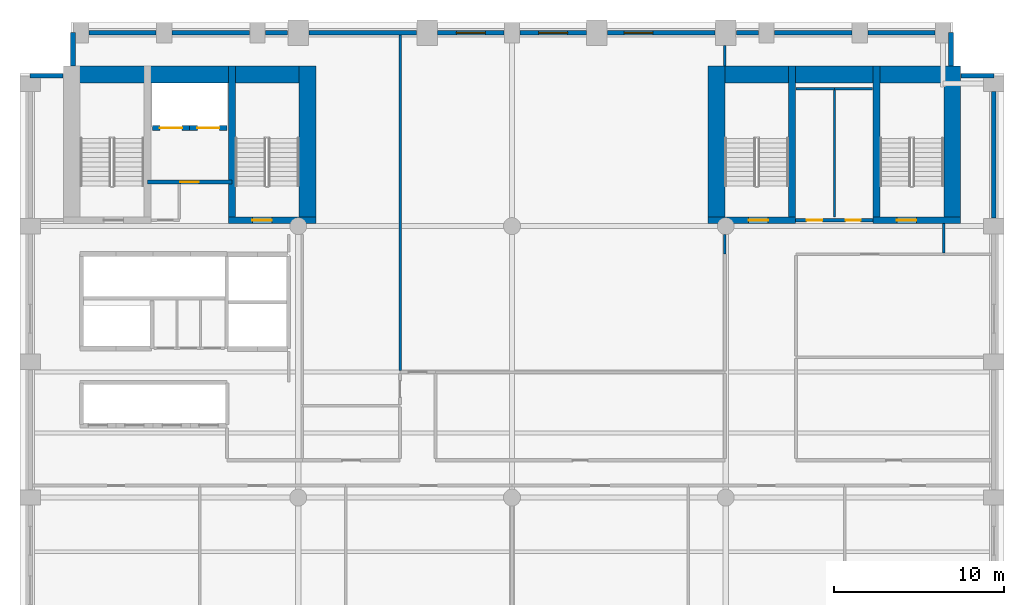
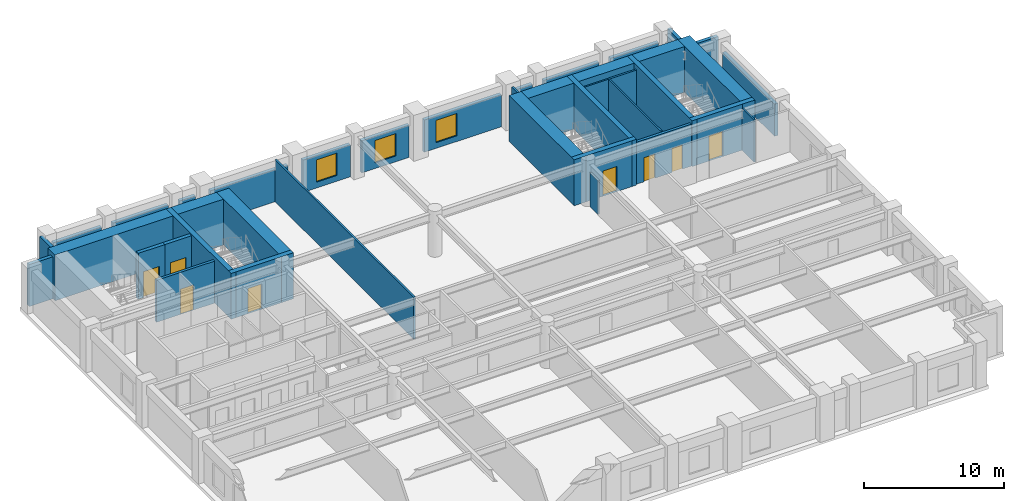
# One storey, part 5 of 8: 37 walls, 8 doors, 3 windows, 11 openings.
"""IFC4 building model written with IfcOpenShell, lengths in metres."""

from ifc_helpers import new_model, si_unit, direction, frame, frame_2d, origin, place, context, subcontext, project, spatial, rectangle, extrude, material, layer, layer_set, type_object, element, fill, save


model = new_model("IFC4")

# Units and contexts
model_context = context("Model", 3, precision=1e-05, world=origin(), true_north=direction((0.0, 1.0)))
body_context = subcontext(model_context, "Body", "Model", "MODEL_VIEW")
ifc_project = project(units=[si_unit("LENGTHUNIT", "METRE"), si_unit("AREAUNIT", "SQUARE_METRE"), si_unit("VOLUMEUNIT", "CUBIC_METRE"), si_unit("PLANEANGLEUNIT", "RADIAN"), si_unit("MASSUNIT", "GRAM", prefix="KILO")], contexts=[model_context])

# Site, building, storey
site_placement = place(None, origin())
site = spatial("IfcSite", under=ifc_project, at=site_placement, CompositionType="ELEMENT")
building_placement = place(site_placement, origin())
building = spatial("IfcBuilding", under=site, at=building_placement, Name="Sulina Concourse Tower", CompositionType="ELEMENT")
storey_placement = place(building_placement, frame((0.0, 0.0, 78.60009765625)))
storey = spatial("IfcBuildingStorey", under=building, at=storey_placement, Name="L19", CompositionType="ELEMENT", Elevation=78.60009765625)

# Wall, opening, door
ifc_material_1 = material(Name="Concrete C50/60", Category="concrete")
ifc_layer_1 = layer(ifc_material_1, 0.300048828125)
ifc_layer_set_1 = layer_set([ifc_layer_1], Name="Concrete C50/60")
wall_type_1 = type_object("IfcWallType", Name="Core Lift Hoistway Wall 300mm", PredefinedType="SOLIDWALL", material=ifc_layer_set_1)
wall_1_placement = place(storey_placement, frame((10.0, 39.780029296875, 0.0), z_axis=(0.0, 0.0, 1.0), x_axis=(-1.0, 0.0, 0.0)))
wall_1 = element("IfcWall", 1, at=wall_1_placement, inside=storey, type_object=wall_type_1, Name="L19 hoistway enclosure wall FFL-1", PredefinedType="SOLIDWALL", context=body_context, shape_type="SweptSolid", body=[
    extrude(rectangle(XDim=2.199951171875, YDim=0.300048828125, at=frame_2d((1.10009765625, 0.0))), origin(), (0.0, 0.0, 1.0), 4.0),
])
opening_1_placement = place(wall_1_placement, frame((0.449951171875, 0.0, 0.0)))
opening_1 = element("IfcOpeningElement", 2, at=opening_1_placement, cuts=wall_1, Name="Opening LD-02", PredefinedType="OPENING", context=body_context, shape_type="SweptSolid", body=[
    extrude(rectangle(XDim=1.300048828125, YDim=2.25, at=frame_2d((0.64990234375, 1.125))), frame((0.0, 0.159912109375, 0.0), z_axis=(0.0, -1.0, 0.0), x_axis=(1.0, 0.0, 0.0)), (0.0, 0.0, 1.0), 0.320068359375),
])
ifc_material_2 = material(Name="Stainless steel lift landing door", Category="steel")
ifc_layer_2 = layer(ifc_material_2, 0.050048828125)
ifc_layer_set_2 = layer_set([ifc_layer_2], Name="Stainless steel lift landing door")
door_type_1 = type_object("IfcDoorType", Name="Firefighting Lift Sliding Landing Door 1300x2250", OperationType="SLIDING_TO_RIGHT", PredefinedType="DOOR", material=ifc_layer_set_2)
door_1_placement = place(opening_1_placement, origin())
door_1 = element("IfcDoor", 3, at=door_1_placement, inside=storey, type_object=door_type_1, Name="L19 lift landing sliding door FFL-1", OperationType="SLIDING_TO_LEFT", OverallHeight=2.25, OverallWidth=1.300048828125, PredefinedType="DOOR", context=body_context, shape_type="SweptSolid", body=[
    extrude(rectangle(XDim=1.300048828125, YDim=2.25, at=frame_2d((0.64990234375, 1.125))), frame((0.0, 0.02490234375, 0.0), z_axis=(0.0, -1.0, 0.0), x_axis=(1.0, 0.0, 0.0)), (0.0, 0.0, 1.0), 0.050048828125),
])
fill(opening_1, door_1)

wall_2_placement = place(storey_placement, frame((12.199951171875, 39.780029296875, 0.0), z_axis=(0.0, 0.0, 1.0), x_axis=(-1.0, 0.0, 0.0)))
wall_2 = element("IfcWall", 4, at=wall_2_placement, inside=storey, type_object=wall_type_1, Name="L19 hoistway enclosure wall FFL-2", PredefinedType="SOLIDWALL", context=body_context, shape_type="SweptSolid", body=[
    extrude(rectangle(XDim=2.199951171875, YDim=0.300048828125, at=frame_2d((1.10009765625, 0.0))), origin(), (0.0, 0.0, 1.0), 4.0),
])
opening_2_placement = place(wall_2_placement, frame((0.449951171875, 0.0, 0.0)))
opening_2 = element("IfcOpeningElement", 5, at=opening_2_placement, cuts=wall_2, Name="Opening LD-02", PredefinedType="OPENING", context=body_context, shape_type="SweptSolid", body=[
    extrude(rectangle(XDim=1.300048828125, YDim=2.25, at=frame_2d((0.64990234375, 1.125))), frame((0.0, 0.159912109375, 0.0), z_axis=(0.0, -1.0, 0.0), x_axis=(1.0, 0.0, 0.0)), (0.0, 0.0, 1.0), 0.320068359375),
])
door_2_placement = place(opening_2_placement, origin())
door_2 = element("IfcDoor", 6, at=door_2_placement, inside=storey, type_object=door_type_1, Name="L19 lift landing sliding door FFL-2", OperationType="SLIDING_TO_RIGHT", OverallHeight=2.25, OverallWidth=1.300048828125, PredefinedType="DOOR", context=body_context, shape_type="SweptSolid", body=[
    extrude(rectangle(XDim=1.300048828125, YDim=2.25, at=frame_2d((0.64990234375, 1.125))), frame((0.0, 0.02490234375, 0.0), z_axis=(0.0, -1.0, 0.0), x_axis=(1.0, 0.0, 0.0)), (0.0, 0.0, 1.0), 0.050048828125),
])
fill(opening_2, door_2)

ifc_material_3 = material(Name="Gypsum board on steel stud", Category="steel")
ifc_layer_3 = layer(ifc_material_3, 0.219970703125)
ifc_layer_set_3 = layer_set([ifc_layer_3], Name="Gypsum board on steel stud")
wall_type_2 = type_object("IfcWallType", Name="Fire-Rated Lobby & Compartment Wall 220mm", PredefinedType="PARTITIONING", material=ifc_layer_set_3)
wall_3_placement = place(storey_placement, frame((7.510009765625, 36.60009765625, 0.0), z_axis=(0.0, 0.0, 1.0), x_axis=(1.0, 0.0, 0.0)))
wall_3 = element("IfcWall", 7, at=wall_3_placement, inside=storey, type_object=wall_type_2, Name="L19 firefighting lobby south fire wall", PredefinedType="PARTITIONING", context=body_context, shape_type="SweptSolid", body=[
    extrude(rectangle(XDim=4.97998046875, YDim=0.219970703125, at=frame_2d((2.489990234375, 0.0))), origin(), (0.0, 0.0, 1.0), 3.659912109375),
])
opening_3_placement = place(wall_3_placement, frame((1.93994140625, 0.0, 0.0)))
opening_3 = element("IfcOpeningElement", 8, at=opening_3_placement, cuts=wall_3, Name="Opening DR-47", PredefinedType="OPENING", context=body_context, shape_type="SweptSolid", body=[
    extrude(rectangle(XDim=1.10009765625, YDim=2.199951171875, at=frame_2d((0.550048828125, 1.10009765625))), frame((0.0, 0.119873046875, 0.0), z_axis=(0.0, -1.0, 0.0), x_axis=(1.0, 0.0, 0.0)), (0.0, 0.0, 1.0), 0.239990234375),
])
ifc_material_4 = material(Name="Galvanised steel acoustic fire leaf", Category="steel")
ifc_layer_4 = layer(ifc_material_4, 0.054931640625)
ifc_layer_set_4 = layer_set([ifc_layer_4], Name="Galvanised steel acoustic fire leaf")
door_type_2 = type_object("IfcDoorType", Name="Firefighting Lobby Fire Door 1100x2200", OperationType="NOTDEFINED", PredefinedType="DOOR", material=ifc_layer_set_4)
door_3_placement = place(opening_3_placement, origin())
door_3 = element("IfcDoor", 9, at=door_3_placement, inside=storey, type_object=door_type_2, Name="L19 firefighting lobby fire door", OperationType="SINGLE_SWING_RIGHT", OverallHeight=2.199951171875, OverallWidth=1.10009765625, PredefinedType="DOOR", context=body_context, shape_type="SweptSolid", body=[
    extrude(rectangle(XDim=1.10009765625, YDim=2.199951171875, at=frame_2d((0.550048828125, 1.10009765625))), frame((0.0, 0.02490234375, 0.0), z_axis=(0.0, -1.0, 0.0), x_axis=(1.0, 0.0, 0.0)), (0.0, 0.0, 1.0), 0.050048828125),
])
fill(opening_3, door_3)

# Wall, openings, doors
wall_4_placement = place(storey_placement, frame((45.719970703125, 34.35009765625, 0.0), z_axis=(0.0, 0.0, 1.0), x_axis=(1.0, 0.0, 0.0)))
wall_4 = element("IfcWall", 10, at=wall_4_placement, inside=storey, type_object=wall_type_2, Name="L19 east core south lobby wall", PredefinedType="PARTITIONING", context=body_context, shape_type="SweptSolid", body=[
    extrude(rectangle(XDim=4.56005859375, YDim=0.219970703125, at=frame_2d((2.280029296875, 0.0))), origin(), (0.0, 0.0, 1.0), 3.659912109375),
])
opening_4_placement = place(wall_4_placement, frame((0.64990234375, 0.0, 0.0)))
opening_4 = element("IfcOpeningElement", 11, at=opening_4_placement, cuts=wall_4, Name="Opening DR-61", PredefinedType="OPENING", context=body_context, shape_type="SweptSolid", body=[
    extrude(rectangle(XDim=0.919921875, YDim=2.10009765625, at=frame_2d((0.4599609375, 1.050048828125))), frame((0.0, 0.119873046875, 0.0), z_axis=(0.0, -1.0, 0.0), x_axis=(1.0, 0.0, 0.0)), (0.0, 0.0, 1.0), 0.239990234375),
])
opening_5_placement = place(wall_4_placement, frame((2.949951171875, 0.0, 0.0)))
opening_5 = element("IfcOpeningElement", 12, at=opening_5_placement, cuts=wall_4, Name="Opening DR-38", PredefinedType="OPENING", context=body_context, shape_type="SweptSolid", body=[
    extrude(rectangle(XDim=0.8798828125, YDim=2.10009765625, at=frame_2d((0.43994140625, 1.050048828125))), frame((0.0, 0.119873046875, 0.0), z_axis=(0.0, -1.0, 0.0), x_axis=(1.0, 0.0, 0.0)), (0.0, 0.0, 1.0), 0.239990234375),
])
ifc_material_5 = material(Name="Oak-veneered fire door leaf")
ifc_layer_5 = layer(ifc_material_5, 0.050048828125)
ifc_layer_set_5 = layer_set([ifc_layer_5], Name="Oak-veneered fire door leaf")
door_type_3 = type_object("IfcDoorType", Name="Accessible WC Door 920x2100", OperationType="NOTDEFINED", PredefinedType="DOOR", material=ifc_layer_set_5)
door_4_placement = place(opening_4_placement, origin())
door_4 = element("IfcDoor", 13, at=door_4_placement, inside=storey, type_object=door_type_3, Name="L19 east core accessible wc door", OperationType="SINGLE_SWING_RIGHT", OverallHeight=2.10009765625, OverallWidth=0.919921875, PredefinedType="DOOR", context=body_context, shape_type="SweptSolid", body=[
    extrude(rectangle(XDim=0.919921875, YDim=2.10009765625, at=frame_2d((0.4599609375, 1.050048828125))), frame((0.0, 0.02490234375, 0.0), z_axis=(0.0, -1.0, 0.0), x_axis=(1.0, 0.0, 0.0)), (0.0, 0.0, 1.0), 0.050048828125),
])
fill(opening_4, door_4)
ifc_material_6 = material(Name="Galvanised steel acoustic fire leaf", Category="steel")
ifc_layer_6 = layer(ifc_material_6, 0.050048828125)
ifc_layer_set_6 = layer_set([ifc_layer_6], Name="Galvanised steel acoustic fire leaf")
door_type_4 = type_object("IfcDoorType", Name="Service Riser Fire Door 880x2100", OperationType="NOTDEFINED", PredefinedType="DOOR", material=ifc_layer_set_6)
door_5_placement = place(opening_5_placement, origin())
door_5 = element("IfcDoor", 14, at=door_5_placement, inside=storey, type_object=door_type_4, Name="L19 east core store door", OperationType="SINGLE_SWING_LEFT", OverallHeight=2.10009765625, OverallWidth=0.8798828125, PredefinedType="DOOR", context=body_context, shape_type="SweptSolid", body=[
    extrude(rectangle(XDim=0.8798828125, YDim=2.10009765625, at=frame_2d((0.43994140625, 1.050048828125))), frame((0.0, 0.02490234375, 0.0), z_axis=(0.0, -1.0, 0.0), x_axis=(1.0, 0.0, 0.0)), (0.0, 0.0, 1.0), 0.050048828125),
])
fill(opening_5, door_5)

# Walls
ifc_material_7 = material(Name="Gypsum board on steel stud", Category="steel")
ifc_layer_7 = layer(ifc_material_7, 0.14990234375)
ifc_layer_set_7 = layer_set([ifc_layer_7], Name="Gypsum board on steel stud")
wall_type_3 = type_object("IfcWallType", Name="Inter-Tenancy Acoustic Partition 150mm", PredefinedType="PARTITIONING", material=ifc_layer_set_7)
wall_5_placement = place(storey_placement, frame((48.0, 42.10009765625, 0.0), z_axis=(0.0, 0.0, 1.0), x_axis=(1.0, 0.0, 0.0)))
element("IfcWall", 15, at=wall_5_placement, inside=storey, type_object=wall_type_3, Name="L19 interior partition 023", PredefinedType="PARTITIONING", context=body_context, shape_type="SweptSolid", body=[
    extrude(rectangle(XDim=2.25, YDim=0.14990234375, at=frame_2d((1.125, 0.0))), origin(), (0.0, 0.0, 1.0), 3.659912109375),
])
wall_6_placement = place(storey_placement, frame((22.39990234375, 25.489990234375, 0.0), z_axis=(0.0, 0.0, 1.0), x_axis=(0.0, 1.0, 0.0)))
element("IfcWall", 16, at=wall_6_placement, inside=storey, type_object=wall_type_3, Name="L19 interior partition 036", PredefinedType="PARTITIONING", context=body_context, shape_type="SweptSolid", body=[
    extrude(rectangle(XDim=19.77001953125, YDim=0.14990234375, at=frame_2d((9.885009765625, 0.0))), origin(), (0.0, 0.0, 1.0), 3.659912109375),
])
wall_7_placement = place(storey_placement, frame((41.550048828125, 32.35009765625, 0.0), z_axis=(0.0, 0.0, 1.0), x_axis=(0.0, 1.0, 0.0)))
element("IfcWall", 17, at=wall_7_placement, inside=storey, type_object=wall_type_3, Name="L19 interior partition 042", PredefinedType="PARTITIONING", context=body_context, shape_type="SweptSolid", body=[
    extrude(rectangle(XDim=1.14990234375, YDim=0.14990234375, at=frame_2d((0.574951171875, 0.0))), origin(), (0.0, 0.0, 1.0), 2.954833984375),
])
wall_8_placement = place(storey_placement, frame((41.550048828125, 43.429931640625, 0.0), z_axis=(0.0, 0.0, 1.0), x_axis=(0.0, 1.0, 0.0)))
element("IfcWall", 18, at=wall_8_placement, inside=storey, type_object=wall_type_3, Name="L19 interior partition 043", PredefinedType="PARTITIONING", context=body_context, shape_type="SweptSolid", body=[
    extrude(rectangle(XDim=1.219970703125, YDim=0.14990234375, at=frame_2d((0.60986328125, 0.0))), origin(), (0.0, 0.0, 1.0), 3.659912109375),
])
wall_9_placement = place(storey_placement, frame((54.449951171875, 32.425048828125, 0.0), z_axis=(0.0, 0.0, 1.0), x_axis=(0.0, 1.0, 0.0)))
element("IfcWall", 19, at=wall_9_placement, inside=storey, type_object=wall_type_3, Name="L19 interior partition 048", PredefinedType="PARTITIONING", context=body_context, shape_type="SweptSolid", body=[
    extrude(rectangle(XDim=1.724853515625, YDim=0.14990234375, at=frame_2d((0.8623046875, 0.0))), origin(), (0.0, 0.0, 1.0), 3.659912109375),
])

# Wall, opening, door
ifc_material_8 = material(Name="Concrete C60/75", Category="concrete")
ifc_layer_8 = layer(ifc_material_8, 0.39990234375)
ifc_layer_set_8 = layer_set([ifc_layer_8], Name="Concrete C60/75")
wall_type_4 = type_object("IfcWallType", Name="Protected Stair Core Shear Wall 400mm", PredefinedType="SHEAR", material=ifc_layer_set_8)
wall_10_placement = place(storey_placement, frame((12.2900390625, 34.35009765625, 0.0), z_axis=(0.0, 0.0, 1.0), x_axis=(1.0, 0.0, 0.0)))
wall_10 = element("IfcWall", 20, at=wall_10_placement, inside=storey, type_object=wall_type_4, Name="L19 west core shear wall CW-WS2", PredefinedType="SHEAR", context=body_context, shape_type="SweptSolid", body=[
    extrude(rectangle(XDim=5.159912109375, YDim=0.39990234375, at=frame_2d((2.580078125, 0.0))), origin(), (0.0, 0.0, 1.0), 4.0),
])
opening_6_placement = place(wall_10_placement, frame((1.39990234375, 0.0, 0.0)))
opening_6 = element("IfcOpeningElement", 21, at=opening_6_placement, cuts=wall_10, Name="Opening DR-60", PredefinedType="OPENING", context=body_context, shape_type="SweptSolid", body=[
    extrude(rectangle(XDim=1.14990234375, YDim=2.199951171875, at=frame_2d((0.574951171875, 1.10009765625))), frame((0.0, 0.2099609375, 0.0), z_axis=(0.0, -1.0, 0.0), x_axis=(1.0, 0.0, 0.0)), (0.0, 0.0, 1.0), 0.419921875),
])
ifc_material_9 = material(Name="Galvanised steel acoustic fire leaf", Category="steel")
ifc_layer_9 = layer(ifc_material_9, 0.054931640625)
ifc_layer_set_9 = layer_set([ifc_layer_9], Name="Galvanised steel acoustic fire leaf")
door_type_5 = type_object("IfcDoorType", Name="Protected Exit Stair Fire Door 1150x2200", OperationType="NOTDEFINED", PredefinedType="DOOR", material=ifc_layer_set_9)
door_6_placement = place(opening_6_placement, origin())
door_6 = element("IfcDoor", 22, at=door_6_placement, inside=storey, type_object=door_type_5, Name="L19 stair ST-2 lobby fire door", OperationType="SINGLE_SWING_LEFT", OverallHeight=2.199951171875, OverallWidth=1.14990234375, PredefinedType="DOOR", context=body_context, shape_type="SweptSolid", body=[
    extrude(rectangle(XDim=1.14990234375, YDim=2.199951171875, at=frame_2d((0.574951171875, 1.10009765625))), frame((0.0, 0.02490234375, 0.0), z_axis=(0.0, -1.0, 0.0), x_axis=(1.0, 0.0, 0.0)), (0.0, 0.0, 1.0), 0.050048828125),
])
fill(opening_6, door_6)

# Wall
wall_11_placement = place(storey_placement, frame((12.489990234375, 34.14990234375, 0.0), z_axis=(0.0, 0.0, 1.0), x_axis=(0.0, 1.0, 0.0)))
element("IfcWall", 23, at=wall_11_placement, inside=storey, type_object=wall_type_4, Name="L19 west core shear wall SW-ST2", PredefinedType="SHEAR", context=body_context, shape_type="SweptSolid", body=[
    extrude(rectangle(XDim=9.280029296875, YDim=0.39990234375, at=frame_2d((4.64013671875, 0.0))), origin(), (0.0, 0.0, 1.0), 4.0),
])

# Wall, opening, door
wall_12_placement = place(storey_placement, frame((40.550048828125, 34.35009765625, 0.0), z_axis=(0.0, 0.0, 1.0), x_axis=(1.0, 0.0, 0.0)))
wall_12 = element("IfcWall", 24, at=wall_12_placement, inside=storey, type_object=wall_type_4, Name="L19 east core shear wall CW-ES1", PredefinedType="SHEAR", context=body_context, shape_type="SweptSolid", body=[
    extrude(rectangle(XDim=5.159912109375, YDim=0.39990234375, at=frame_2d((2.580078125, 0.0))), origin(), (0.0, 0.0, 1.0), 4.0),
])
opening_7_placement = place(wall_12_placement, frame((2.39990234375, 0.0, 0.0)))
opening_7 = element("IfcOpeningElement", 25, at=opening_7_placement, cuts=wall_12, Name="Opening DR-60", PredefinedType="OPENING", context=body_context, shape_type="SweptSolid", body=[
    extrude(rectangle(XDim=1.14990234375, YDim=2.199951171875, at=frame_2d((0.574951171875, 1.10009765625))), frame((0.0, 0.2099609375, 0.0), z_axis=(0.0, -1.0, 0.0), x_axis=(1.0, 0.0, 0.0)), (0.0, 0.0, 1.0), 0.419921875),
])
door_7_placement = place(opening_7_placement, origin())
door_7 = element("IfcDoor", 26, at=door_7_placement, inside=storey, type_object=door_type_5, Name="L19 stair ST-3 south lobby fire door", OperationType="SINGLE_SWING_LEFT", OverallHeight=2.199951171875, OverallWidth=1.14990234375, PredefinedType="DOOR", context=body_context, shape_type="SweptSolid", body=[
    extrude(rectangle(XDim=1.14990234375, YDim=2.199951171875, at=frame_2d((0.574951171875, 1.10009765625))), frame((0.0, 0.02490234375, 0.0), z_axis=(0.0, -1.0, 0.0), x_axis=(1.0, 0.0, 0.0)), (0.0, 0.0, 1.0), 0.050048828125),
])
fill(opening_7, door_7)

# Wall
wall_13_placement = place(storey_placement, frame((45.510009765625, 34.14990234375, 0.0), z_axis=(0.0, 0.0, 1.0), x_axis=(0.0, 1.0, 0.0)))
element("IfcWall", 27, at=wall_13_placement, inside=storey, type_object=wall_type_4, Name="L19 east core shear wall SW-ST3", PredefinedType="SHEAR", context=body_context, shape_type="SweptSolid", body=[
    extrude(rectangle(XDim=9.280029296875, YDim=0.39990234375, at=frame_2d((4.64013671875, 0.0))), origin(), (0.0, 0.0, 1.0), 4.0),
])

# Wall, opening, door
wall_14_placement = place(storey_placement, frame((50.2900390625, 34.35009765625, 0.0), z_axis=(0.0, 0.0, 1.0), x_axis=(1.0, 0.0, 0.0)))
wall_14 = element("IfcWall", 28, at=wall_14_placement, inside=storey, type_object=wall_type_4, Name="L19 east core shear wall CW-ES2", PredefinedType="SHEAR", context=body_context, shape_type="SweptSolid", body=[
    extrude(rectangle(XDim=5.159912109375, YDim=0.39990234375, at=frame_2d((2.580078125, 0.0))), origin(), (0.0, 0.0, 1.0), 4.0),
])
opening_8_placement = place(wall_14_placement, frame((1.39990234375, 0.0, 0.0)))
opening_8 = element("IfcOpeningElement", 29, at=opening_8_placement, cuts=wall_14, Name="Opening DR-60", PredefinedType="OPENING", context=body_context, shape_type="SweptSolid", body=[
    extrude(rectangle(XDim=1.14990234375, YDim=2.199951171875, at=frame_2d((0.574951171875, 1.10009765625))), frame((0.0, 0.2099609375, 0.0), z_axis=(0.0, -1.0, 0.0), x_axis=(1.0, 0.0, 0.0)), (0.0, 0.0, 1.0), 0.419921875),
])
door_8_placement = place(opening_8_placement, origin())
door_8 = element("IfcDoor", 30, at=door_8_placement, inside=storey, type_object=door_type_5, Name="L19 stair ST-4 south lobby fire door", OperationType="SINGLE_SWING_RIGHT", OverallHeight=2.199951171875, OverallWidth=1.14990234375, PredefinedType="DOOR", context=body_context, shape_type="SweptSolid", body=[
    extrude(rectangle(XDim=1.14990234375, YDim=2.199951171875, at=frame_2d((0.574951171875, 1.10009765625))), frame((0.0, 0.02490234375, 0.0), z_axis=(0.0, -1.0, 0.0), x_axis=(1.0, 0.0, 0.0)), (0.0, 0.0, 1.0), 0.050048828125),
])
fill(opening_8, door_8)

# Walls
wall_15_placement = place(storey_placement, frame((50.489990234375, 34.14990234375, 0.0), z_axis=(0.0, 0.0, 1.0), x_axis=(0.0, 1.0, 0.0)))
element("IfcWall", 31, at=wall_15_placement, inside=storey, type_object=wall_type_4, Name="L19 east core shear wall SW-ST4", PredefinedType="SHEAR", context=body_context, shape_type="SweptSolid", body=[
    extrude(rectangle(XDim=9.280029296875, YDim=0.39990234375, at=frame_2d((4.64013671875, 0.0))), origin(), (0.0, 0.0, 1.0), 4.0),
])
ifc_material_10 = material(Name="Concrete C80/95", Category="concrete")
ifc_layer_10 = layer(ifc_material_10, 1.0)
ifc_layer_set_10 = layer_set([ifc_layer_10], Name="Concrete C80/95")
wall_type_5 = type_object("IfcWallType", Name="Rear Core Shear Wall 1000mm", PredefinedType="SHEAR", material=ifc_layer_set_10)
wall_16_placement = place(storey_placement, frame((2.550048828125, 42.929931640625, 0.0), z_axis=(0.0, 0.0, 1.0), x_axis=(1.0, 0.0, 0.0)))
element("IfcWall", 32, at=wall_16_placement, inside=storey, type_object=wall_type_5, Name="L19 west core shear wall CW-WN", PredefinedType="SHEAR", context=body_context, shape_type="SweptSolid", body=[
    extrude(rectangle(XDim=14.89990234375, YDim=1.0, at=frame_2d((7.449951171875, 0.0))), origin(), (0.0, 0.0, 1.0), 4.0),
])
wall_17_placement = place(storey_placement, frame((16.949951171875, 34.14990234375, 0.0), z_axis=(0.0, 0.0, 1.0), x_axis=(0.0, 1.0, 0.0)))
element("IfcWall", 33, at=wall_17_placement, inside=storey, type_object=wall_type_5, Name="L19 west core shear wall CW-WE", PredefinedType="SHEAR", context=body_context, shape_type="SweptSolid", body=[
    extrude(rectangle(XDim=9.280029296875, YDim=1.0, at=frame_2d((4.64013671875, 0.0))), origin(), (0.0, 0.0, 1.0), 4.0),
])
wall_18_placement = place(storey_placement, frame((40.550048828125, 42.929931640625, 0.0), z_axis=(0.0, 0.0, 1.0), x_axis=(1.0, 0.0, 0.0)))
element("IfcWall", 34, at=wall_18_placement, inside=storey, type_object=wall_type_5, Name="L19 east core shear wall CW-EN", PredefinedType="SHEAR", context=body_context, shape_type="SweptSolid", body=[
    extrude(rectangle(XDim=14.89990234375, YDim=1.0, at=frame_2d((7.449951171875, 0.0))), origin(), (0.0, 0.0, 1.0), 4.0),
])
for number, where, z_axis, x_axis, name in (
    (35, (41.050048828125, 34.14990234375, 0.0), (0.0, 0.0, 1.0), (0.0, 1.0, 0.0), "L19 east core shear wall CW-EW"),
    (36, (54.949951171875, 34.14990234375, 0.0), (0.0, 0.0, 1.0), (0.0, 1.0, 0.0), "L19 east core shear wall CW-EE"),
):
    element("IfcWall", number, at=place(storey_placement, frame(where, z_axis=z_axis, x_axis=x_axis)), inside=storey, type_object=wall_type_5, Name=name, PredefinedType="SHEAR", context=body_context, shape_type="SweptSolid", body=[
        extrude(rectangle(XDim=9.280029296875, YDim=1.0, at=frame_2d((4.64013671875, 0.0))), origin(), (0.0, 0.0, 1.0), 4.0),
    ])
ifc_material_11 = material(Name="Precast concrete C50/60", Category="concrete")
ifc_layer_11 = layer(ifc_material_11, 0.280029296875)
ifc_layer_set_11 = layer_set([ifc_layer_11], Name="Precast concrete C50/60")
wall_type_6 = type_object("IfcWallType", Name="Typical Precast Masonry-Frame Facade Wall 280mm", PredefinedType="SOLIDWALL", material=ifc_layer_set_11)
wall_19_placement = place(storey_placement, frame((4.070068359375, 45.39990234375, 0.0), z_axis=(0.0, 0.0, 1.0), x_axis=(1.0, 0.0, 0.0)))
element("IfcWall", 37, at=wall_19_placement, inside=storey, type_object=wall_type_6, Name="L19 exterior precast wall N1", PredefinedType="SOLIDWALL", context=body_context, shape_type="SweptSolid", body=[
    extrude(rectangle(XDim=3.9599609375, YDim=0.280029296875, at=frame_2d((1.97998046875, 0.0))), origin(), (0.0, 0.0, 1.0), 2.809814453125),
])
wall_20_placement = place(storey_placement, frame((8.969970703125, 45.39990234375, 0.0), z_axis=(0.0, 0.0, 1.0), x_axis=(1.0, 0.0, 0.0)))
element("IfcWall", 38, at=wall_20_placement, inside=storey, type_object=wall_type_6, Name="L19 exterior precast wall N2", PredefinedType="SOLIDWALL", context=body_context, shape_type="SweptSolid", body=[
    extrude(rectangle(XDim=4.56005859375, YDim=0.280029296875, at=frame_2d((2.280029296875, 0.0))), origin(), (0.0, 0.0, 1.0), 2.809814453125),
])
wall_21_placement = place(storey_placement, frame((14.469970703125, 45.39990234375, 0.0), z_axis=(0.0, 0.0, 1.0), x_axis=(1.0, 0.0, 0.0)))
element("IfcWall", 39, at=wall_21_placement, inside=storey, type_object=wall_type_6, Name="L19 exterior precast wall N3", PredefinedType="SOLIDWALL", context=body_context, shape_type="SweptSolid", body=[
    extrude(rectangle(XDim=1.31005859375, YDim=0.280029296875, at=frame_2d((0.655029296875, 0.0))), origin(), (0.0, 0.0, 1.0), 2.809814453125),
])
wall_22_placement = place(storey_placement, frame((17.02001953125, 45.39990234375, 0.0), z_axis=(0.0, 0.0, 1.0), x_axis=(1.0, 0.0, 0.0)))
element("IfcWall", 40, at=wall_22_placement, inside=storey, type_object=wall_type_6, Name="L19 exterior precast wall N4", PredefinedType="SOLIDWALL", context=body_context, shape_type="SweptSolid", body=[
    extrude(rectangle(XDim=6.35986328125, YDim=0.280029296875, at=frame_2d((3.179931640625, 0.0))), origin(), (0.0, 0.0, 1.0), 2.809814453125),
])

# Wall, opening, window
wall_23_placement = place(storey_placement, frame((24.6201171875, 45.39990234375, 0.0), z_axis=(0.0, 0.0, 1.0), x_axis=(1.0, 0.0, 0.0)))
wall_23 = element("IfcWall", 41, at=wall_23_placement, inside=storey, type_object=wall_type_6, Name="L19 exterior precast wall N5", PredefinedType="SOLIDWALL", context=body_context, shape_type="SweptSolid", body=[
    extrude(rectangle(XDim=3.909912109375, YDim=0.280029296875, at=frame_2d((1.955078125, 0.0))), origin(), (0.0, 0.0, 1.0), 2.809814453125),
])
opening_9_placement = place(wall_23_placement, frame((1.10498046875, 0.0, 0.5)))
opening_9 = element("IfcOpeningElement", 42, at=opening_9_placement, cuts=wall_23, Name="Opening WN-66", PredefinedType="OPENING", context=body_context, shape_type="SweptSolid", body=[
    extrude(rectangle(XDim=1.699951171875, YDim=1.949951171875, at=frame_2d((0.85009765625, 0.97509765625))), frame((0.0, 0.14990234375, 0.0), z_axis=(0.0, -1.0, 0.0), x_axis=(1.0, 0.0, 0.0)), (0.0, 0.0, 1.0), 0.300048828125),
])
ifc_material_12 = material(Name="Low-E solar double glazing in bronze aluminium", Category="aluminium")
window_type = type_object("IfcWindowType", Name="Recessed Spandrel Window 1700x1950", PartitioningType="SINGLE_PANEL", PredefinedType="WINDOW", material=ifc_material_12)
window_1_placement = place(opening_9_placement, origin())
window_1 = element("IfcWindow", 43, at=window_1_placement, inside=storey, type_object=window_type, Name="L19 punched window N5-1", OverallHeight=1.949951171875, OverallWidth=1.699951171875, PartitioningType="SINGLE_PANEL", PredefinedType="WINDOW", context=body_context, shape_type="SweptSolid", body=[
    extrude(rectangle(XDim=1.699951171875, YDim=1.949951171875, at=frame_2d((0.85009765625, 0.97509765625))), frame((0.0, 0.030029296875, 0.0), z_axis=(0.0, -1.0, 0.0), x_axis=(1.0, 0.0, 0.0)), (0.0, 0.0, 1.0), 0.06005859375),
])
fill(opening_9, window_1)

wall_24_placement = place(storey_placement, frame((29.469970703125, 45.39990234375, 0.0), z_axis=(0.0, 0.0, 1.0), x_axis=(1.0, 0.0, 0.0)))
wall_24 = element("IfcWall", 44, at=wall_24_placement, inside=storey, type_object=wall_type_6, Name="L19 exterior precast wall N6", PredefinedType="SOLIDWALL", context=body_context, shape_type="SweptSolid", body=[
    extrude(rectangle(XDim=3.909912109375, YDim=0.280029296875, at=frame_2d((1.955078125, 0.0))), origin(), (0.0, 0.0, 1.0), 2.809814453125),
])
opening_10_placement = place(wall_24_placement, frame((1.10498046875, 0.0, 0.5)))
opening_10 = element("IfcOpeningElement", 45, at=opening_10_placement, cuts=wall_24, Name="Opening WN-66", PredefinedType="OPENING", context=body_context, shape_type="SweptSolid", body=[
    extrude(rectangle(XDim=1.699951171875, YDim=1.949951171875, at=frame_2d((0.85009765625, 0.97509765625))), frame((0.0, 0.14990234375, 0.0), z_axis=(0.0, -1.0, 0.0), x_axis=(1.0, 0.0, 0.0)), (0.0, 0.0, 1.0), 0.300048828125),
])
window_2_placement = place(opening_10_placement, origin())
window_2 = element("IfcWindow", 46, at=window_2_placement, inside=storey, type_object=window_type, Name="L19 punched window N6-1", OverallHeight=1.949951171875, OverallWidth=1.699951171875, PartitioningType="SINGLE_PANEL", PredefinedType="WINDOW", context=body_context, shape_type="SweptSolid", body=[
    extrude(rectangle(XDim=1.699951171875, YDim=1.949951171875, at=frame_2d((0.85009765625, 0.97509765625))), frame((0.0, 0.030029296875, 0.0), z_axis=(0.0, -1.0, 0.0), x_axis=(1.0, 0.0, 0.0)), (0.0, 0.0, 1.0), 0.06005859375),
])
fill(opening_10, window_2)

wall_25_placement = place(storey_placement, frame((34.6201171875, 45.39990234375, 0.0), z_axis=(0.0, 0.0, 1.0), x_axis=(1.0, 0.0, 0.0)))
wall_25 = element("IfcWall", 47, at=wall_25_placement, inside=storey, type_object=wall_type_6, Name="L19 exterior precast wall N7", PredefinedType="SOLIDWALL", context=body_context, shape_type="SweptSolid", body=[
    extrude(rectangle(XDim=6.35986328125, YDim=0.280029296875, at=frame_2d((3.179931640625, 0.0))), origin(), (0.0, 0.0, 1.0), 2.809814453125),
])
opening_11_placement = place(wall_25_placement, frame((0.98681640625, 0.0, 0.5)))
opening_11 = element("IfcOpeningElement", 48, at=opening_11_placement, cuts=wall_25, Name="Opening WN-66", PredefinedType="OPENING", context=body_context, shape_type="SweptSolid", body=[
    extrude(rectangle(XDim=1.699951171875, YDim=1.949951171875, at=frame_2d((0.85009765625, 0.97509765625))), frame((0.0, 0.14990234375, 0.0), z_axis=(0.0, -1.0, 0.0), x_axis=(1.0, 0.0, 0.0)), (0.0, 0.0, 1.0), 0.300048828125),
])
window_3_placement = place(opening_11_placement, origin())
window_3 = element("IfcWindow", 49, at=window_3_placement, inside=storey, type_object=window_type, Name="L19 punched window N7-1", OverallHeight=1.949951171875, OverallWidth=1.699951171875, PartitioningType="SINGLE_PANEL", PredefinedType="WINDOW", context=body_context, shape_type="SweptSolid", body=[
    extrude(rectangle(XDim=1.699951171875, YDim=1.949951171875, at=frame_2d((0.85009765625, 0.97509765625))), frame((0.0, 0.030029296875, 0.0), z_axis=(0.0, -1.0, 0.0), x_axis=(1.0, 0.0, 0.0)), (0.0, 0.0, 1.0), 0.06005859375),
])
fill(opening_11, window_3)

# Walls
wall_26_placement = place(storey_placement, frame((42.219970703125, 45.39990234375, 0.0), z_axis=(0.0, 0.0, 1.0), x_axis=(1.0, 0.0, 0.0)))
element("IfcWall", 50, at=wall_26_placement, inside=storey, type_object=wall_type_6, Name="L19 exterior precast wall N8", PredefinedType="SOLIDWALL", context=body_context, shape_type="SweptSolid", body=[
    extrude(rectangle(XDim=1.31005859375, YDim=0.280029296875, at=frame_2d((0.655029296875, 0.0))), origin(), (0.0, 0.0, 1.0), 2.809814453125),
])
wall_27_placement = place(storey_placement, frame((44.469970703125, 45.39990234375, 0.0), z_axis=(0.0, 0.0, 1.0), x_axis=(1.0, 0.0, 0.0)))
element("IfcWall", 51, at=wall_27_placement, inside=storey, type_object=wall_type_6, Name="L19 exterior precast wall N9", PredefinedType="SOLIDWALL", context=body_context, shape_type="SweptSolid", body=[
    extrude(rectangle(XDim=4.56005859375, YDim=0.280029296875, at=frame_2d((2.280029296875, 0.0))), origin(), (0.0, 0.0, 1.0), 2.809814453125),
])
wall_28_placement = place(storey_placement, frame((49.969970703125, 45.39990234375, 0.0), z_axis=(0.0, 0.0, 1.0), x_axis=(1.0, 0.0, 0.0)))
element("IfcWall", 52, at=wall_28_placement, inside=storey, type_object=wall_type_6, Name="L19 exterior precast wall N10", PredefinedType="SOLIDWALL", context=body_context, shape_type="SweptSolid", body=[
    extrude(rectangle(XDim=3.9599609375, YDim=0.280029296875, at=frame_2d((1.97998046875, 0.0))), origin(), (0.0, 0.0, 1.0), 2.809814453125),
])
wall_29_placement = place(storey_placement, frame((57.39990234375, 41.929931640625, 0.0), z_axis=(0.0, 0.0, 1.0), x_axis=(0.0, -1.0, 0.0)))
element("IfcWall", 53, at=wall_29_placement, inside=storey, type_object=wall_type_6, Name="L19 exterior precast wall E5", PredefinedType="SOLIDWALL", context=body_context, shape_type="SweptSolid", body=[
    extrude(rectangle(XDim=7.4599609375, YDim=0.280029296875, at=frame_2d((3.72998046875, 0.0))), origin(), (0.0, 0.0, 1.0), 2.809814453125),
])
wall_30_placement = place(storey_placement, frame((0.60009765625, 42.8701171875, 0.0), z_axis=(0.0, 0.0, 1.0), x_axis=(1.0, 0.0, 0.0)))
element("IfcWall", 54, at=wall_30_placement, inside=storey, type_object=wall_type_6, Name="L19 exterior precast wall CNW1", PredefinedType="SOLIDWALL", context=body_context, shape_type="SweptSolid", body=[
    extrude(rectangle(XDim=1.94482421875, YDim=0.280029296875, at=frame_2d((0.972412109375, 0.0))), origin(), (0.0, 0.0, 1.0), 3.659912109375),
])
for number, where, z_axis, x_axis, name in (
    (55, (3.1298828125, 43.43505859375, 0.0), (0.0, 0.0, 1.0), (0.0, 1.0, 0.0), "L19 exterior precast wall CNW2"),
    (56, (54.8701171875, 45.39990234375, 0.0), (0.0, 0.0, 1.0), (0.0, -1.0, 0.0), "L19 exterior precast wall CNE1"),
):
    element("IfcWall", number, at=place(storey_placement, frame(where, z_axis=z_axis, x_axis=x_axis)), inside=storey, type_object=wall_type_6, Name=name, PredefinedType="SOLIDWALL", context=body_context, shape_type="SweptSolid", body=[
        extrude(rectangle(XDim=1.96484375, YDim=0.280029296875, at=frame_2d((0.982421875, 0.0))), origin(), (0.0, 0.0, 1.0), 3.659912109375),
    ])
wall_31_placement = place(storey_placement, frame((55.455078125, 42.8701171875, 0.0), z_axis=(0.0, 0.0, 1.0), x_axis=(1.0, 0.0, 0.0)))
element("IfcWall", 57, at=wall_31_placement, inside=storey, type_object=wall_type_6, Name="L19 exterior precast wall CNE2", PredefinedType="SOLIDWALL", context=body_context, shape_type="SweptSolid", body=[
    extrude(rectangle(XDim=1.94482421875, YDim=0.280029296875, at=frame_2d((0.972412109375, 0.0))), origin(), (0.0, 0.0, 1.0), 3.659912109375),
])
ifc_material_13 = material(Name="Gypsum board on steel stud", Category="steel")
ifc_layer_12 = layer(ifc_material_13, 0.125)
ifc_layer_set_12 = layer_set([ifc_layer_12], Name="Gypsum board on steel stud")
wall_type_7 = type_object("IfcWallType", Name="Wet-Area Moisture-Resistant Partition 125mm", PredefinedType="PARTITIONING", material=ifc_layer_set_12)
wall_32_placement = place(storey_placement, frame((45.75, 42.10009765625, 0.0), z_axis=(0.0, 0.0, 1.0), x_axis=(1.0, 0.0, 0.0)))
element("IfcWall", 58, at=wall_32_placement, inside=storey, type_object=wall_type_7, Name="L19 interior partition 022", PredefinedType="PARTITIONING", context=body_context, shape_type="SweptSolid", body=[
    extrude(rectangle(XDim=2.25, YDim=0.125, at=frame_2d((1.125, 0.0))), origin(), (0.0, 0.0, 1.0), 3.659912109375),
])
wall_33_placement = place(storey_placement, frame((48.0, 34.550048828125, 0.0), z_axis=(0.0, 0.0, 1.0), x_axis=(0.0, 1.0, 0.0)))
element("IfcWall", 59, at=wall_33_placement, inside=storey, type_object=wall_type_7, Name="L19 interior partition 046", PredefinedType="PARTITIONING", context=body_context, shape_type="SweptSolid", body=[
    extrude(rectangle(XDim=7.474853515625, YDim=0.125, at=frame_2d((3.7373046875, 0.0))), origin(), (0.0, 0.0, 1.0), 3.659912109375),
])

save(model, "model.ifc")
